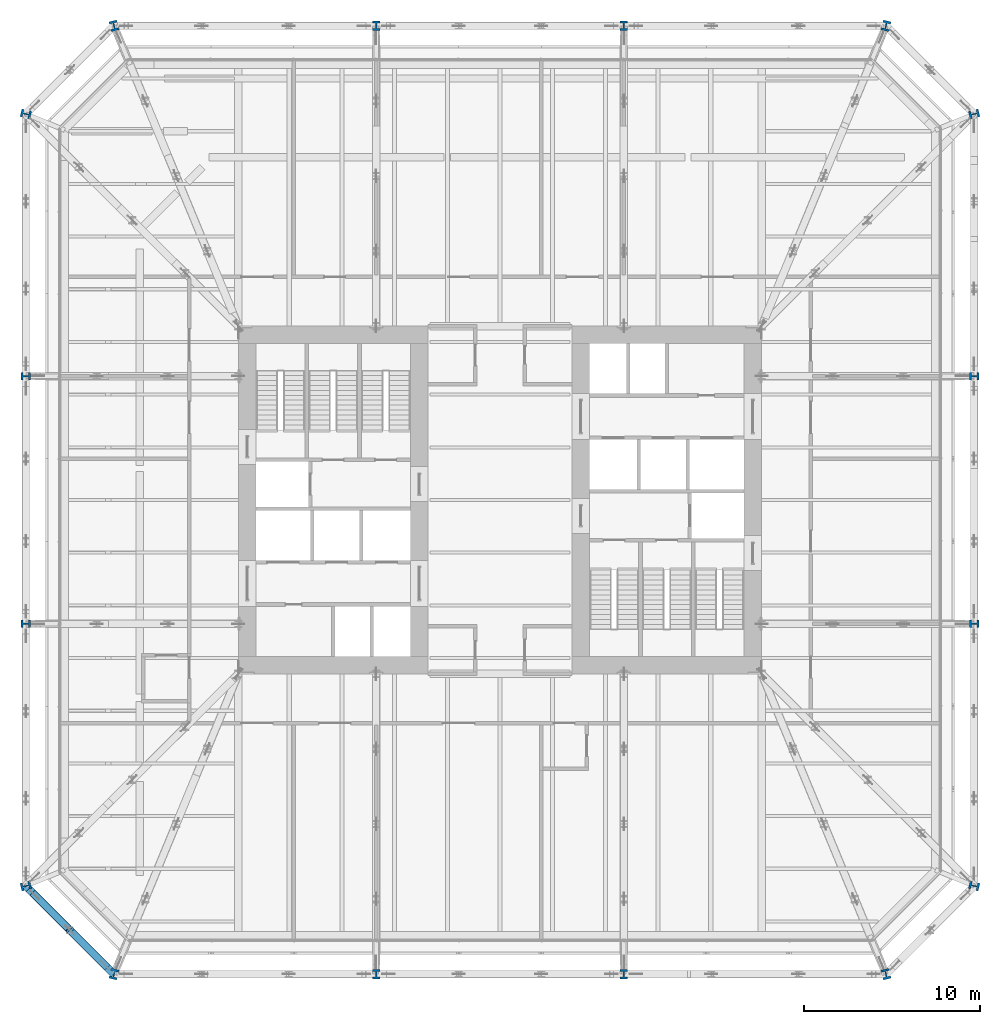
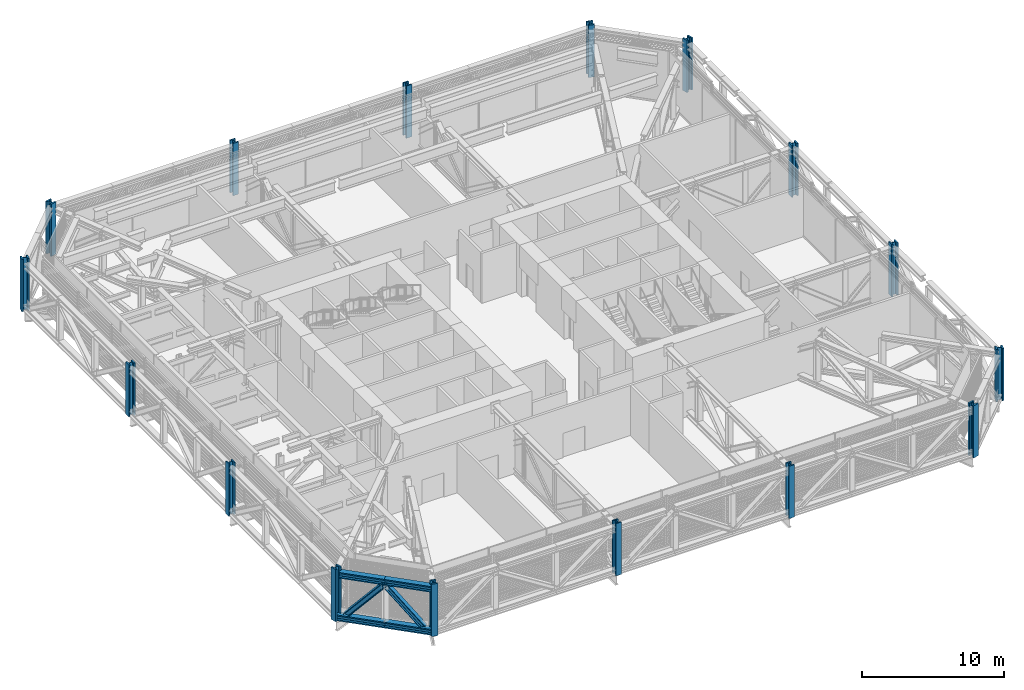
# One storey, part 1 of 33: 16 columns, 4 beams, 2 members.
"""IFC4 building model written with IfcOpenShell, lengths in metres."""

from ifc_helpers import new_model, si_unit, direction, frame, origin, origin_2d, place, context, subcontext, project, spatial, i_section, extrude, material, material_profile, profile_set, type_object, element, save


model = new_model("IFC4")

# Units and contexts
model_context = context("Model", 3, precision=1e-05, world=origin(), true_north=direction((0.0, 1.0)))
body_context = subcontext(model_context, "Body", "Model", "MODEL_VIEW")
ifc_project = project(units=[si_unit("LENGTHUNIT", "METRE"), si_unit("AREAUNIT", "SQUARE_METRE"), si_unit("VOLUMEUNIT", "CUBIC_METRE"), si_unit("PLANEANGLEUNIT", "RADIAN"), si_unit("MASSUNIT", "GRAM", prefix="KILO")], contexts=[model_context])

# Site, building, storey
site_placement = place(None, origin())
site = spatial("IfcSite", under=ifc_project, at=site_placement, CompositionType="ELEMENT")
building_placement = place(site_placement, origin())
building = spatial("IfcBuilding", under=site, at=building_placement, Name="Millrace Tower", CompositionType="ELEMENT")
storey_placement = place(building_placement, frame((0.0, 0.0, 64.10009765625)))
storey = spatial("IfcBuildingStorey", under=building, at=storey_placement, Name="L14", CompositionType="ELEMENT", Elevation=64.10009765625)

# Columns
ifc_material_1 = material(Name="Steel ASTM A913 Grade 65", Category="steel")
ifc_material_profile_1 = material_profile(ifc_material_1, i_section(OverallWidth=0.44189453125, OverallDepth=0.53076171875, WebThickness=0.06591796875, FlangeThickness=0.105712890625, FilletRadius=0.01513671875, at=origin_2d()))
ifc_profile_set_1 = profile_set([ifc_material_profile_1], Name="Steel ASTM A913 Grade 65")
column_type_1 = type_object("IfcColumnType", Name="Exoskeleton column W14x605", PredefinedType="COLUMN", material=ifc_profile_set_1)
for number, where, z_axis, x_axis, name in (
    (1, (-7.050048828125, -27.0, 0.0), (0.0, 0.0, 1.0), (1.0, 0.0, 0.0), "COL-A-L14-X03"),
    (2, (7.050048828125, -27.0, 0.0), (0.0, 0.0, 1.0), (1.0, 0.0, 0.0), "COL-A-L14-X04"),
    (3, (27.0, -7.050048828125, 0.0), (0.0, 0.0, 1.0), (0.0, 1.0, 0.0), "COL-A-L14-X07"),
    (4, (27.0, 7.050048828125, 0.0), (0.0, 0.0, 1.0), (0.0, 1.0, 0.0), "COL-A-L14-X08"),
    (5, (7.050048828125, 27.0, 0.0), (0.0, 0.0, 1.0), (-1.0, 0.0, 0.0), "COL-A-L14-X11"),
    (6, (-7.050048828125, 27.0, 0.0), (0.0, 0.0, 1.0), (-1.0, 0.0, 0.0), "COL-A-L14-X12"),
    (7, (-27.0, 7.050048828125, 0.0), (0.0, 0.0, 1.0), (0.0, -1.0, 0.0), "COL-A-L14-X15"),
    (8, (-27.0, -7.050048828125, 0.0), (0.0, 0.0, 1.0), (0.0, -1.0, 0.0), "COL-A-L14-X16"),
):
    element("IfcColumn", number, at=place(storey_placement, frame(where, z_axis=z_axis, x_axis=x_axis)), inside=storey, type_object=column_type_1, Name=name, PredefinedType="COLUMN", context=body_context, shape_type="SweptSolid", body=[
        extrude(i_section(OverallWidth=0.44189453125, OverallDepth=0.53076171875, WebThickness=0.06591796875, FlangeThickness=0.105712890625, FilletRadius=0.01513671875, at=origin_2d()), origin(), (0.0, 0.0, 1.0), 4.5),
    ])
ifc_material_2 = material(Name="Steel ASTM A913 Grade 65", Category="steel")
ifc_material_profile_2 = material_profile(ifc_material_2, i_section(OverallWidth=0.45458984375, OverallDepth=0.56884765625, WebThickness=0.077880859375, FlangeThickness=0.124755859375, FilletRadius=0.01513671875, at=origin_2d()))
ifc_profile_set_2 = profile_set([ifc_material_profile_2], Name="Steel ASTM A913 Grade 65")
column_type_2 = type_object("IfcColumnType", Name="Exoskeleton column W14x730", PredefinedType="COLUMN", material=ifc_profile_set_2)
for number, where, z_axis, x_axis, name in (
    (9, (-27.0, -21.978515625, 0.0), (0.0, 0.0, 1.0), (0.244094142872, -0.969751540043, 0.0), "COL-A-L14-X01"),
    (10, (-21.978515625, -27.0, 0.0), (0.0, 0.0, 1.0), (0.969751540043, -0.244094142872, 0.0), "COL-A-L14-X02"),
    (11, (21.978515625, -27.0, 0.0), (0.0, 0.0, 1.0), (0.969751540043, 0.244094142872, 0.0), "COL-A-L14-X05"),
    (12, (27.0, -21.978515625, 0.0), (0.0, 0.0, 1.0), (0.244094142872, 0.969751540043, 0.0), "COL-A-L14-X06"),
    (13, (27.0, 21.978515625, 0.0), (0.0, 0.0, 1.0), (-0.244094142872, 0.969751540043, 0.0), "COL-A-L14-X09"),
    (14, (21.978515625, 27.0, 0.0), (0.0, 0.0, 1.0), (-0.969751540043, 0.244094142872, 0.0), "COL-A-L14-X10"),
    (15, (-21.978515625, 27.0, 0.0), (0.0, 0.0, 1.0), (-0.969751540043, -0.244094142872, 0.0), "COL-A-L14-X13"),
    (16, (-27.0, 21.978515625, 0.0), (0.0, 0.0, 1.0), (-0.244094142872, -0.969751540043, 0.0), "COL-A-L14-X14"),
):
    element("IfcColumn", number, at=place(storey_placement, frame(where, z_axis=z_axis, x_axis=x_axis)), inside=storey, type_object=column_type_2, Name=name, PredefinedType="COLUMN", context=body_context, shape_type="SweptSolid", body=[
        extrude(i_section(OverallWidth=0.45458984375, OverallDepth=0.56884765625, WebThickness=0.077880859375, FlangeThickness=0.124755859375, FilletRadius=0.01513671875, at=origin_2d()), origin(), (0.0, 0.0, 1.0), 4.5),
    ])

# Beams
ifc_material_3 = material(Name="Steel ASTM A992 Grade 50", Category="steel")
ifc_material_profile_3 = material_profile(ifc_material_3, i_section(OverallWidth=0.436767578125, OverallDepth=0.51318359375, WebThickness=0.060546875, FlangeThickness=0.096923828125, FilletRadius=0.01513671875, at=origin_2d()))
ifc_profile_set_3 = profile_set([ifc_material_profile_3], Name="Steel ASTM A992 Grade 50")
beam_type = type_object("IfcBeamType", Name="Belt truss chord W14x550", PredefinedType="BEAM", material=ifc_profile_set_3)
for number, where, z_axis, x_axis, name in (
    (17, (-27.0, -21.978515625, 0.25634765625), (0.707106781187, -0.707106781187, 0.0), (0.707106781187, 0.707106781187, 0.0), "BLT-L14-R01-B01"),
    (18, (-24.4892578125, -24.4892578125, 0.25634765625), (0.707106781187, -0.707106781187, 0.0), (0.707106781187, 0.707106781187, 0.0), "BLT-L14-R01-B02"),
    (19, (-24.4892578125, -24.4892578125, 3.943359375), (0.707106781187, -0.707106781187, 0.0), (0.707106781187, 0.707106781187, 0.0), "BLT-L14-R01-T02"),
):
    element("IfcBeam", number, at=place(storey_placement, frame(where, z_axis=z_axis, x_axis=x_axis)), inside=storey, type_object=beam_type, Name=name, PredefinedType="BEAM", context=body_context, shape_type="SweptSolid", body=[
        extrude(i_section(OverallWidth=0.436767578125, OverallDepth=0.51318359375, WebThickness=0.060546875, FlangeThickness=0.096923828125, FilletRadius=0.01513671875, at=origin_2d()), origin(), (0.0, 0.0, 1.0), 3.55078125),
    ])
beam_placement = place(storey_placement, frame((-26.83154296875, -22.146728515625, 3.943359375), z_axis=(0.707069930636, -0.707143629816, 0.0), x_axis=(0.707143629816, 0.707069930636, 0.0)))
element("IfcBeam", 20, at=beam_placement, inside=storey, type_object=beam_type, Name="BLT-L14-R01-T01", PredefinedType="BEAM", context=body_context, shape_type="SweptSolid", body=[
    extrude(i_section(OverallWidth=0.436767578125, OverallDepth=0.51318359375, WebThickness=0.060546875, FlangeThickness=0.096923828125, FilletRadius=0.01513671875, at=origin_2d()), origin(), (0.0, 0.0, 1.0), 3.312744140625),
])

# Members
ifc_material_4 = material(Name="Steel ASTM A992 Grade 50", Category="steel")
ifc_material_profile_4 = material_profile(ifc_material_4, i_section(OverallWidth=0.40380859375, OverallDepth=0.406494140625, WebThickness=0.027099609375, FlangeThickness=0.043701171875, FilletRadius=0.01513671875, at=origin_2d()))
ifc_profile_set_4 = profile_set([ifc_material_profile_4], Name="Steel ASTM A992 Grade 50")
member_type = type_object("IfcMemberType", Name="Belt truss diagonal W14x233", PredefinedType="BRACE", material=ifc_profile_set_4)
for number, where, z_axis, x_axis, name in (
    (21, (-26.505126953125, -22.473388671875, 0.512939453125), (0.472518684194, -0.472518684194, 0.743943671372), (0.707106781187, 0.707106781187, 0.0), "BLT-L14-R01-D01"),
    (22, (-22.473388671875, -26.505126953125, 0.512939453125), (-0.472518684194, 0.472518684194, 0.743943671372), (-0.707106781187, -0.707106781187, 0.0), "BLT-L14-R01-D02"),
):
    element("IfcMember", number, at=place(storey_placement, frame(where, z_axis=z_axis, x_axis=x_axis)), inside=storey, type_object=member_type, Name=name, PredefinedType="BRACE", context=body_context, shape_type="SweptSolid", body=[
        extrude(i_section(OverallWidth=0.40380859375, OverallDepth=0.406494140625, WebThickness=0.027099609375, FlangeThickness=0.043701171875, FilletRadius=0.01513671875, at=origin_2d()), origin(), (0.0, 0.0, 1.0), 4.26611328125),
    ])

save(model, "model.ifc")
